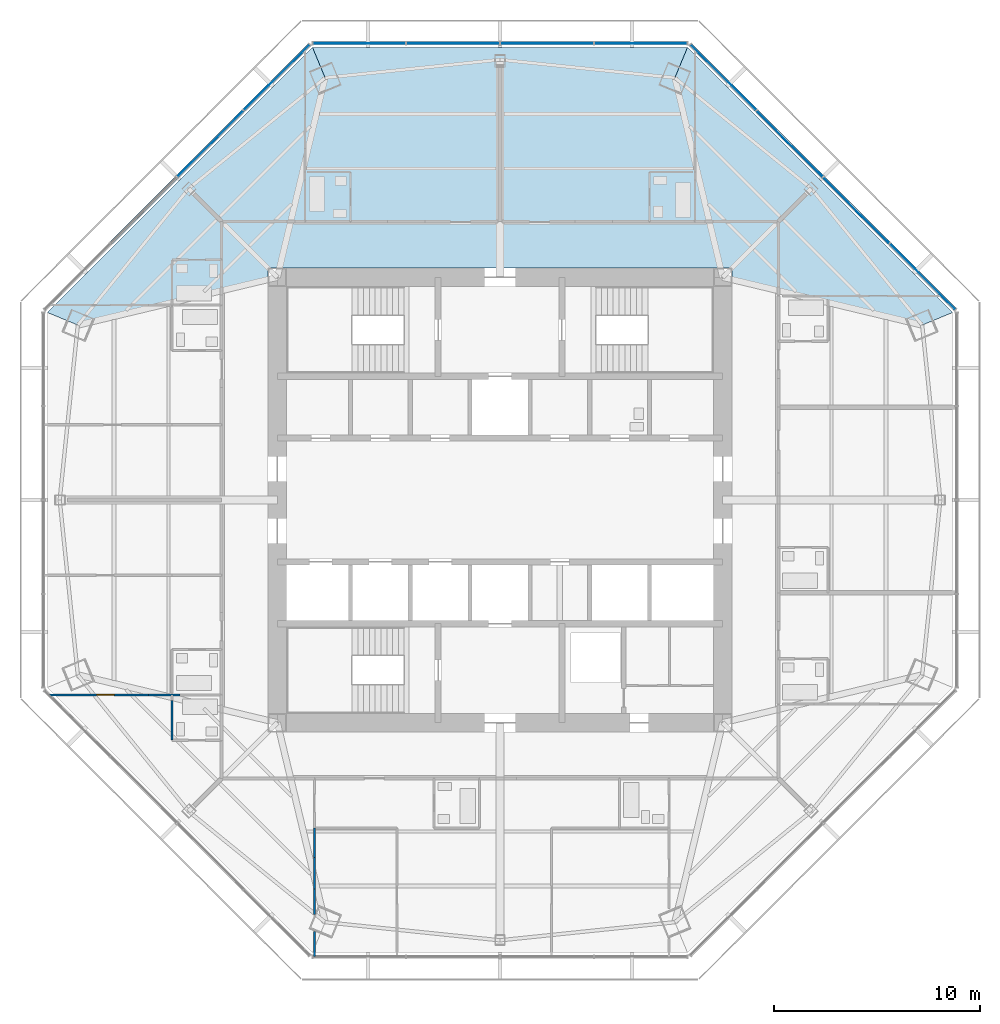
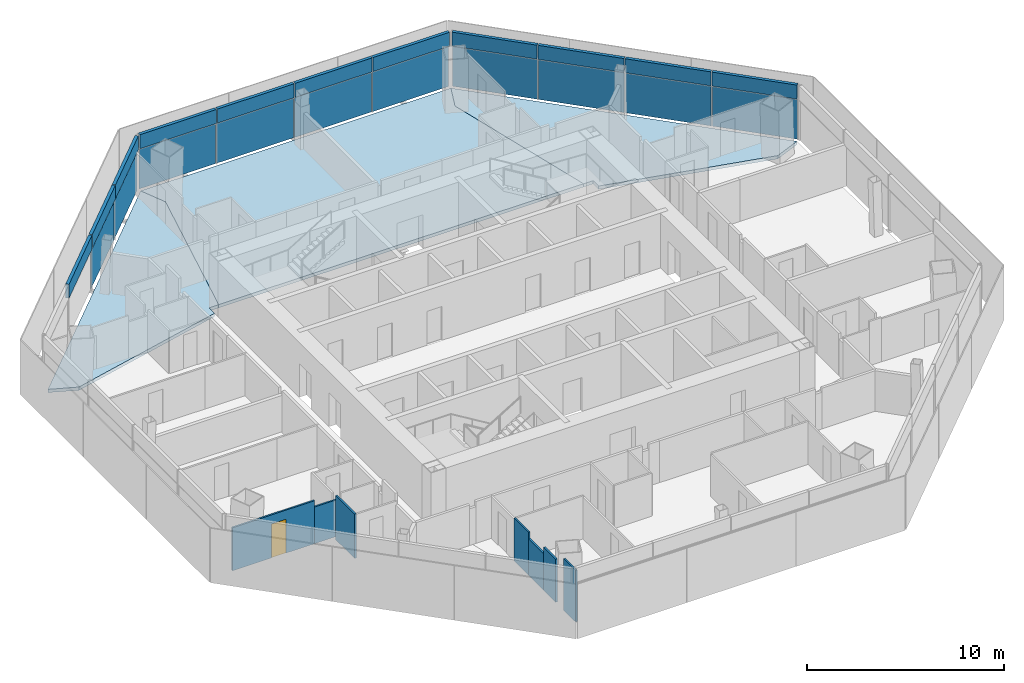
# One storey, part 8 of 15: 21 plates, 7 walls, 3 slabs, 1 door, 1 opening, 3 elements without a shape of their own.
"""IFC4 building model written with IfcOpenShell, lengths in metres."""

from ifc_helpers import new_model, si_unit, direction, frame, frame_2d, origin, origin_2d, place, context, subcontext, project, spatial, polyline, rectangle, outline, extrude, source, transform, mapped, material, layer, layer_set, type_object, type_shapes, element, fill, aggregate, save


model = new_model("IFC4")

# Units and contexts
model_context = context("Model", 3, precision=1e-05, world=origin(), true_north=direction((0.0, 1.0)))
body_context = subcontext(model_context, "Body", "Model", "MODEL_VIEW")
ifc_project = project(units=[si_unit("LENGTHUNIT", "METRE"), si_unit("AREAUNIT", "SQUARE_METRE"), si_unit("VOLUMEUNIT", "CUBIC_METRE"), si_unit("PLANEANGLEUNIT", "RADIAN"), si_unit("MASSUNIT", "GRAM", prefix="KILO")], contexts=[model_context])

# Site, building, storey
site_placement = place(None, origin())
site = spatial("IfcSite", under=ifc_project, at=site_placement, CompositionType="ELEMENT")
building_placement = place(site_placement, origin())
building = spatial("IfcBuilding", under=site, at=building_placement, Name="Mashrafa Tower", CompositionType="ELEMENT")
storey_placement = place(building_placement, frame((0.0, 0.0, 207.39990234375)))
storey = spatial("IfcBuildingStorey", under=building, at=storey_placement, Name="L47", CompositionType="ELEMENT", Elevation=207.39990234375)

# Slabs
ifc_material_1 = material(Name="Concrete C35/45", Category="concrete")
ifc_layer_1 = layer(ifc_material_1, 0.199951171875)
ifc_layer_set_1 = layer_set([ifc_layer_1], Name="Floor slab 200")
slab_type = type_object("IfcSlabType", Name="Floor slab 200", PredefinedType="FLOOR", material=ifc_layer_set_1)
slab_1_placement = place(storey_placement, frame((0.0, 0.0, -0.199951171875)))
element("IfcSlab", 1, at=slab_1_placement, inside=storey, type_object=slab_type, Name="Floor slab L47 north-east bay", PredefinedType="FLOOR", context=body_context, shape_type="SweptSolid", body=[
    extrude(outline(polyline([(21.94775390625, 9.091064453125), (20.47509765625, 8.481201171875), (11.25, 10.692138671875), (11.25, 11.25), (10.692138671875, 11.25), (8.481201171875, 20.47509765625), (9.091064453125, 21.94775390625), (21.94775390625, 9.091064453125)])), origin(), (0.0, 0.0, 1.0), 0.199951171875),
])
slab_2_placement = place(storey_placement, frame((0.0, 0.0, -0.199951171875)))
element("IfcSlab", 2, at=slab_2_placement, inside=storey, type_object=slab_type, Name="Floor slab L47 north bay", PredefinedType="FLOOR", context=body_context, shape_type="SweptSolid", body=[
    extrude(outline(polyline([(-9.091064453125, 21.94775390625), (9.091064453125, 21.94775390625), (9.091064453125, 21.94775390625), (8.481201171875, 20.47509765625), (10.692138671875, 11.25), (-10.692138671875, 11.25), (-8.481201171875, 20.47509765625), (-9.091064453125, 21.94775390625), (-9.091064453125, 21.94775390625)])), origin(), (0.0, 0.0, 1.0), 0.199951171875),
])
slab_3_placement = place(storey_placement, frame((0.0, 0.0, -0.199951171875)))
element("IfcSlab", 3, at=slab_3_placement, inside=storey, type_object=slab_type, Name="Floor slab L47 north-west bay", PredefinedType="FLOOR", context=body_context, shape_type="SweptSolid", body=[
    extrude(outline(polyline([(-9.091064453125, 21.94775390625), (-8.481201171875, 20.47509765625), (-10.692138671875, 11.25), (-11.25, 11.25), (-11.25, 10.692138671875), (-20.47509765625, 8.481201171875), (-21.94775390625, 9.091064453125), (-9.091064453125, 21.94775390625)])), origin(), (0.0, 0.0, 1.0), 0.199951171875),
])

# Curtain wall, plates
ifc_material_2 = material(Name="Unitised aluminium curtain wall", Category="aluminium")
curtain_wall_type = type_object("IfcCurtainWallType", Name="Apartment curtain wall, zone 3 CW-C 180 deep", PredefinedType="NOTDEFINED", material=ifc_material_2)
curtain_wall_1_placement = place(storey_placement, origin())
curtain_wall_1 = element("IfcCurtainWall", 4, at=curtain_wall_1_placement, inside=storey, type_object=curtain_wall_type, Name="Apartment curtain wall, zone 3 L47 north-east", PredefinedType="NOTDEFINED")
ifc_material_3 = material(Name="Insulated double glazing, acoustic", Category="glass")
ifc_layer_2 = layer(ifc_material_3, 0.028076171875)
ifc_layer_set_2 = layer_set([ifc_layer_2], Name="Vision panel CW-C 28")
plate_type_1 = type_object("IfcPlateType", Name="Vision panel CW-C 28", PredefinedType="CURTAIN_PANEL", material=ifc_layer_set_2)
shared_shape_1 = source(origin(), body_context, "Body", "SweptSolid", [
    extrude(rectangle(XDim=4.473388671875, YDim=0.028076171875, at=origin_2d()), origin(), (0.0, 0.0, 1.0), 2.46240234375),
])
plate_1_placement = place(storey_placement, frame((20.490234375, 10.831298828125, 0.000244140625), z_axis=(0.0, 0.0, 1.0), x_axis=(-0.707106781187, 0.707106781187, 0.0)))
plate_1 = element("IfcPlate", 5, at=plate_1_placement, type_object=plate_type_1, Name="CW-C vision panel 1", PredefinedType="CURTAIN_PANEL", context=body_context, shape_type="MappedRepresentation", body=[
    mapped(shared_shape_1, transform((0.0, 0.0, 0.0))),
])
plate_2_placement = place(storey_placement, frame((10.831298828125, 20.490234375, 0.000244140625), z_axis=(0.0, 0.0, 1.0), x_axis=(-0.707106781187, 0.707106781187, 0.0)))
plate_2 = element("IfcPlate", 6, at=plate_2_placement, type_object=plate_type_1, Name="CW-C vision panel 4", PredefinedType="CURTAIN_PANEL", context=body_context, shape_type="MappedRepresentation", body=[
    mapped(shared_shape_1, transform((0.0, 0.0, 0.0))),
])

curtain_wall_2_placement = place(storey_placement, origin())
curtain_wall_2 = element("IfcCurtainWall", 7, at=curtain_wall_2_placement, inside=storey, type_object=curtain_wall_type, Name="Apartment curtain wall, zone 3 L47 north", PredefinedType="NOTDEFINED")
plate_3_placement = place(storey_placement, frame((6.829833984375, 22.147705078125, 0.000244140625), z_axis=(0.0, 0.0, 1.0), x_axis=(-1.0, 0.0, 0.0)))
plate_3 = element("IfcPlate", 8, at=plate_3_placement, type_object=plate_type_1, Name="CW-C vision panel 1", PredefinedType="CURTAIN_PANEL", context=body_context, shape_type="MappedRepresentation", body=[
    mapped(shared_shape_1, transform((0.0, 0.0, 0.0))),
])
plate_4_placement = place(storey_placement, frame((-6.829833984375, 22.147705078125, 0.000244140625), z_axis=(0.0, 0.0, 1.0), x_axis=(-1.0, 0.0, 0.0)))
plate_4 = element("IfcPlate", 9, at=plate_4_placement, type_object=plate_type_1, Name="CW-C vision panel 4", PredefinedType="CURTAIN_PANEL", context=body_context, shape_type="MappedRepresentation", body=[
    mapped(shared_shape_1, transform((0.0, 0.0, 0.0))),
])

# Curtain wall, plate
curtain_wall_3_placement = place(storey_placement, origin())
curtain_wall_3 = element("IfcCurtainWall", 10, at=curtain_wall_3_placement, inside=storey, type_object=curtain_wall_type, Name="Apartment curtain wall, zone 3 L47 north-west", PredefinedType="NOTDEFINED")
plate_5_placement = place(storey_placement, frame((-10.831298828125, 20.490234375, 0.000244140625), z_axis=(0.0, 0.0, 1.0), x_axis=(-0.707106781187, -0.707106781187, 0.0)))
plate_5 = element("IfcPlate", 11, at=plate_5_placement, type_object=plate_type_1, Name="CW-C vision panel 1", PredefinedType="CURTAIN_PANEL", context=body_context, shape_type="MappedRepresentation", body=[
    mapped(shared_shape_1, transform((0.0, 0.0, 0.0))),
])

# Plate
ifc_material_4 = material(Name="Insulated bronze aluminium spandrel panel", Category="aluminium")
ifc_layer_3 = layer(ifc_material_4, 0.179931640625)
ifc_layer_set_3 = layer_set([ifc_layer_3], Name="Spandrel panel CW-C 180")
plate_type_2 = type_object("IfcPlateType", Name="Spandrel panel CW-C 180", PredefinedType="CURTAIN_PANEL", material=ifc_layer_set_3)
shared_shape_2 = source(origin(), body_context, "Body", "SweptSolid", [
    extrude(rectangle(XDim=4.473388671875, YDim=0.179931640625, at=origin_2d()), origin(), (0.0, 0.0, 1.0), 0.862548828125),
])
plate_6_placement = place(storey_placement, frame((20.490234375, 10.831298828125, 2.53759765625), z_axis=(0.0, 0.0, 1.0), x_axis=(-0.707106781187, 0.707106781187, 0.0)))
plate_6 = element("IfcPlate", 12, at=plate_6_placement, type_object=plate_type_2, Name="CW-C spandrel panel 1", PredefinedType="CURTAIN_PANEL", context=body_context, shape_type="MappedRepresentation", body=[
    mapped(shared_shape_2, transform((0.0, 0.0, 0.0))),
])

plate_7_placement = place(storey_placement, frame((10.831298828125, 20.490234375, 2.53759765625), z_axis=(0.0, 0.0, 1.0), x_axis=(-0.707106781187, 0.707106781187, 0.0)))
plate_7 = element("IfcPlate", 13, at=plate_7_placement, type_object=plate_type_2, Name="CW-C spandrel panel 4", PredefinedType="CURTAIN_PANEL", context=body_context, shape_type="MappedRepresentation", body=[
    mapped(shared_shape_2, transform((0.0, 0.0, 0.0))),
])

plate_8_placement = place(storey_placement, frame((6.829833984375, 22.147705078125, 2.53759765625), z_axis=(0.0, 0.0, 1.0), x_axis=(-1.0, 0.0, 0.0)))
plate_8 = element("IfcPlate", 14, at=plate_8_placement, type_object=plate_type_2, Name="CW-C spandrel panel 1", PredefinedType="CURTAIN_PANEL", context=body_context, shape_type="MappedRepresentation", body=[
    mapped(shared_shape_2, transform((0.0, 0.0, 0.0))),
])

plate_9_placement = place(storey_placement, frame((-6.829833984375, 22.147705078125, 2.53759765625), z_axis=(0.0, 0.0, 1.0), x_axis=(-1.0, 0.0, 0.0)))
plate_9 = element("IfcPlate", 15, at=plate_9_placement, type_object=plate_type_2, Name="CW-C spandrel panel 4", PredefinedType="CURTAIN_PANEL", context=body_context, shape_type="MappedRepresentation", body=[
    mapped(shared_shape_2, transform((0.0, 0.0, 0.0))),
])

plate_10_placement = place(storey_placement, frame((-10.831298828125, 20.490234375, 2.53759765625), z_axis=(0.0, 0.0, 1.0), x_axis=(-0.707106781187, -0.707106781187, 0.0)))
plate_10 = element("IfcPlate", 16, at=plate_10_placement, type_object=plate_type_2, Name="CW-C spandrel panel 1", PredefinedType="CURTAIN_PANEL", context=body_context, shape_type="MappedRepresentation", body=[
    mapped(shared_shape_2, transform((0.0, 0.0, 0.0))),
])

shared_shape_3 = source(origin(), body_context, "Body", "SweptSolid", [
    extrude(rectangle(XDim=4.503173828125, YDim=0.028076171875, at=origin_2d()), origin(), (0.0, 0.0, 1.0), 2.46240234375),
])
type_shapes(plate_type_1, [shared_shape_1, shared_shape_3])
plate_11_placement = place(storey_placement, frame((17.274169921875, 14.04736328125, 0.000244140625), z_axis=(0.0, 0.0, 1.0), x_axis=(-0.707106781187, 0.707106781187, 0.0)))
plate_11 = element("IfcPlate", 17, at=plate_11_placement, type_object=plate_type_1, Name="CW-C vision panel 2", PredefinedType="CURTAIN_PANEL", context=body_context, shape_type="MappedRepresentation", body=[
    mapped(shared_shape_3, transform((0.0, 0.0, 0.0))),
])

plate_12_placement = place(storey_placement, frame((14.04736328125, 17.274169921875, 0.000244140625), z_axis=(0.0, 0.0, 1.0), x_axis=(-0.707106781187, 0.707106781187, 0.0)))
plate_12 = element("IfcPlate", 18, at=plate_12_placement, type_object=plate_type_1, Name="CW-C vision panel 3", PredefinedType="CURTAIN_PANEL", context=body_context, shape_type="MappedRepresentation", body=[
    mapped(shared_shape_3, transform((0.0, 0.0, 0.0))),
])

plate_13_placement = place(storey_placement, frame((2.28173828125, 22.147705078125, 0.000244140625), z_axis=(0.0, 0.0, 1.0), x_axis=(-1.0, 0.0, 0.0)))
plate_13 = element("IfcPlate", 19, at=plate_13_placement, type_object=plate_type_1, Name="CW-C vision panel 2", PredefinedType="CURTAIN_PANEL", context=body_context, shape_type="MappedRepresentation", body=[
    mapped(shared_shape_3, transform((0.0, 0.0, 0.0))),
])

plate_14_placement = place(storey_placement, frame((-2.28173828125, 22.147705078125, 0.000244140625), z_axis=(0.0, 0.0, 1.0), x_axis=(-1.0, 0.0, 0.0)))
plate_14 = element("IfcPlate", 20, at=plate_14_placement, type_object=plate_type_1, Name="CW-C vision panel 3", PredefinedType="CURTAIN_PANEL", context=body_context, shape_type="MappedRepresentation", body=[
    mapped(shared_shape_3, transform((0.0, 0.0, 0.0))),
])

plate_15_placement = place(storey_placement, frame((-14.04736328125, 17.274169921875, 0.000244140625), z_axis=(0.0, 0.0, 1.0), x_axis=(-0.707106781187, -0.707106781187, 0.0)))
plate_15 = element("IfcPlate", 21, at=plate_15_placement, type_object=plate_type_1, Name="CW-C vision panel 2", PredefinedType="CURTAIN_PANEL", context=body_context, shape_type="MappedRepresentation", body=[
    mapped(shared_shape_3, transform((0.0, 0.0, 0.0))),
])

shared_shape_4 = source(origin(), body_context, "Body", "SweptSolid", [
    extrude(rectangle(XDim=4.503173828125, YDim=0.179931640625, at=origin_2d()), origin(), (0.0, 0.0, 1.0), 0.862548828125),
])
type_shapes(plate_type_2, [shared_shape_2, shared_shape_4])
plate_16_placement = place(storey_placement, frame((17.274169921875, 14.04736328125, 2.53759765625), z_axis=(0.0, 0.0, 1.0), x_axis=(-0.707106781187, 0.707106781187, 0.0)))
plate_16 = element("IfcPlate", 22, at=plate_16_placement, type_object=plate_type_2, Name="CW-C spandrel panel 2", PredefinedType="CURTAIN_PANEL", context=body_context, shape_type="MappedRepresentation", body=[
    mapped(shared_shape_4, transform((0.0, 0.0, 0.0))),
])

plate_17_placement = place(storey_placement, frame((14.04736328125, 17.274169921875, 2.53759765625), z_axis=(0.0, 0.0, 1.0), x_axis=(-0.707106781187, 0.707106781187, 0.0)))
plate_17 = element("IfcPlate", 23, at=plate_17_placement, type_object=plate_type_2, Name="CW-C spandrel panel 3", PredefinedType="CURTAIN_PANEL", context=body_context, shape_type="MappedRepresentation", body=[
    mapped(shared_shape_4, transform((0.0, 0.0, 0.0))),
])

aggregate(curtain_wall_1, [plate_1, plate_6, plate_11, plate_16, plate_12, plate_17, plate_2, plate_7])

plate_18_placement = place(storey_placement, frame((2.28173828125, 22.147705078125, 2.53759765625), z_axis=(0.0, 0.0, 1.0), x_axis=(-1.0, 0.0, 0.0)))
plate_18 = element("IfcPlate", 24, at=plate_18_placement, type_object=plate_type_2, Name="CW-C spandrel panel 2", PredefinedType="CURTAIN_PANEL", context=body_context, shape_type="MappedRepresentation", body=[
    mapped(shared_shape_4, transform((0.0, 0.0, 0.0))),
])

plate_19_placement = place(storey_placement, frame((-2.28173828125, 22.147705078125, 2.53759765625), z_axis=(0.0, 0.0, 1.0), x_axis=(-1.0, 0.0, 0.0)))
plate_19 = element("IfcPlate", 25, at=plate_19_placement, type_object=plate_type_2, Name="CW-C spandrel panel 3", PredefinedType="CURTAIN_PANEL", context=body_context, shape_type="MappedRepresentation", body=[
    mapped(shared_shape_4, transform((0.0, 0.0, 0.0))),
])

aggregate(curtain_wall_2, [plate_3, plate_8, plate_13, plate_18, plate_14, plate_19, plate_4, plate_9])

plate_20_placement = place(storey_placement, frame((-14.04736328125, 17.274169921875, 2.53759765625), z_axis=(0.0, 0.0, 1.0), x_axis=(-0.707106781187, -0.707106781187, 0.0)))
plate_20 = element("IfcPlate", 26, at=plate_20_placement, type_object=plate_type_2, Name="CW-C spandrel panel 2", PredefinedType="CURTAIN_PANEL", context=body_context, shape_type="MappedRepresentation", body=[
    mapped(shared_shape_4, transform((0.0, 0.0, 0.0))),
])

plate_21_placement = place(storey_placement, frame((-17.274169921875, 14.04736328125, 2.53759765625), z_axis=(0.0, 0.0, 1.0), x_axis=(-0.707106781187, -0.707106781187, 0.0)))
plate_21 = element("IfcPlate", 27, at=plate_21_placement, type_object=plate_type_2, Name="CW-C spandrel panel 3", PredefinedType="CURTAIN_PANEL", context=body_context, shape_type="MappedRepresentation", body=[
    mapped(shared_shape_4, transform((0.0, 0.0, 0.0))),
])

aggregate(curtain_wall_3, [plate_5, plate_10, plate_15, plate_20, plate_21])

# Walls
ifc_material_5 = material(Name="Gypsum board on steel studs", Category="steel")
ifc_layer_4 = layer(ifc_material_5, 0.10009765625)
ifc_layer_set_4 = layer_set([ifc_layer_4], Name="Partition 100")
wall_type = type_object("IfcWallType", Name="Partition 100", PredefinedType="PARTITIONING", material=ifc_layer_set_4)
wall_1_placement = place(storey_placement, frame((-15.89990234375, -9.73193359375, 0.0), z_axis=(0.0, 0.0, 1.0), x_axis=(0.0, -1.0, 0.0)))
element("IfcWall", 28, at=wall_1_placement, inside=storey, type_object=wall_type, Name="Partition wall L47-106", PredefinedType="PARTITIONING", context=body_context, shape_type="SweptSolid", body=[
    extrude(rectangle(XDim=1.91796875, YDim=0.10009765625, at=frame_2d((0.958984375, 0.0))), origin(), (0.0, 0.0, 1.0), 2.740478515625),
])
wall_2_placement = place(storey_placement, frame((-15.519287109375, -9.449951171875, 0.0), z_axis=(0.0, 0.0, 1.0), x_axis=(-1.0, 0.0, 0.0)))
element("IfcWall", 29, at=wall_2_placement, inside=storey, type_object=wall_type, Name="Partition wall L47-110", PredefinedType="PARTITIONING", context=body_context, shape_type="SweptSolid", body=[
    extrude(rectangle(XDim=1.52587890625, YDim=0.10009765625, at=frame_2d((0.762939453125, 0.0))), origin(), (0.0, 0.0, 1.0), 2.268310546875),
])

# Wall, opening, door
wall_3_placement = place(storey_placement, frame((-17.045166015625, -9.449951171875, 0.0), z_axis=(0.0, 0.0, 1.0), x_axis=(-1.0, 0.0, 0.0)))
wall_3 = element("IfcWall", 30, at=wall_3_placement, inside=storey, type_object=wall_type, Name="Partition wall L47-111", PredefinedType="PARTITIONING", context=body_context, shape_type="SweptSolid", body=[
    extrude(rectangle(XDim=4.804443359375, YDim=0.10009765625, at=frame_2d((2.40234375, 0.0))), origin(), (0.0, 0.0, 1.0), 2.664306640625),
])
opening_placement = place(wall_3_placement, frame((1.669921875, 0.0, 0.0)))
opening = element("IfcOpeningElement", 31, at=opening_placement, cuts=wall_3, Name="Opening 47.021", PredefinedType="OPENING", context=body_context, shape_type="SweptSolid", body=[
    extrude(rectangle(XDim=0.85009765625, YDim=2.10009765625, at=frame_2d((0.425048828125, 1.050048828125))), frame((0.0, 0.06005859375, 0.0), z_axis=(0.0, -1.0, 0.0), x_axis=(1.0, 0.0, 0.0)), (0.0, 0.0, 1.0), 0.1201171875),
])
ifc_material_6 = material(Name="Timber door", Category="wood")
door_type = type_object("IfcDoorType", Name="Bedroom door 850 x 2100", OperationType="USERDEFINED", PredefinedType="DOOR", material=ifc_material_6)
door_placement = place(opening_placement, origin())
door = element("IfcDoor", 32, at=door_placement, inside=storey, type_object=door_type, Name="Apartment 4707 Bedroom 1 door", OperationType="SINGLE_SWING_RIGHT", OverallHeight=2.10009765625, OverallWidth=0.85009765625, PredefinedType="DOOR", context=body_context, shape_type="SweptSolid", body=[
    extrude(rectangle(XDim=0.85009765625, YDim=2.10009765625, at=frame_2d((0.425048828125, 1.050048828125))), frame((0.0, 0.02490234375, 0.0), z_axis=(0.0, -1.0, 0.0), x_axis=(1.0, 0.0, 0.0)), (0.0, 0.0, 1.0), 0.050048828125),
])
fill(opening, door)

# Walls
wall_4_placement = place(storey_placement, frame((-9.0, -22.129638671875, 0.0), z_axis=(0.0, 0.0, 1.0), x_axis=(0.0, 1.0, 0.0)))
element("IfcWall", 33, at=wall_4_placement, inside=storey, type_object=wall_type, Name="Partition wall L47-118", PredefinedType="PARTITIONING", context=body_context, shape_type="SweptSolid", body=[
    extrude(rectangle(XDim=1.205810546875, YDim=0.10009765625, at=frame_2d((0.60302734375, 0.0))), origin(), (0.0, 0.0, 1.0), 3.2001953125),
])
wall_5_placement = place(storey_placement, frame((-9.0, -20.1103515625, 0.0), z_axis=(0.0, 0.0, 1.0), x_axis=(0.0, 1.0, 0.0)))
element("IfcWall", 34, at=wall_5_placement, inside=storey, type_object=wall_type, Name="Partition wall L47-119", PredefinedType="PARTITIONING", context=body_context, shape_type="SweptSolid", body=[
    extrude(rectangle(XDim=1.23779296875, YDim=0.10009765625, at=frame_2d((0.618896484375, 0.0))), origin(), (0.0, 0.0, 1.0), 2.664306640625),
])
wall_6_placement = place(storey_placement, frame((-9.0, -17.3466796875, 0.0), z_axis=(0.0, 0.0, 1.0), x_axis=(0.0, 1.0, 0.0)))
element("IfcWall", 35, at=wall_6_placement, inside=storey, type_object=wall_type, Name="Partition wall L47-120", PredefinedType="PARTITIONING", context=body_context, shape_type="SweptSolid", body=[
    extrude(rectangle(XDim=1.44775390625, YDim=0.10009765625, at=frame_2d((0.723876953125, 0.0))), origin(), (0.0, 0.0, 1.0), 2.664306640625),
])
wall_7_placement = place(storey_placement, frame((-9.0, -18.87255859375, 0.0), z_axis=(0.0, 0.0, 1.0), x_axis=(0.0, 1.0, 0.0)))
element("IfcWall", 36, at=wall_7_placement, inside=storey, type_object=wall_type, Name="Partition wall L47-121", PredefinedType="PARTITIONING", context=body_context, shape_type="SweptSolid", body=[
    extrude(rectangle(XDim=1.52587890625, YDim=0.10009765625, at=frame_2d((0.762939453125, 0.0))), origin(), (0.0, 0.0, 1.0), 2.268310546875),
])

save(model, "model.ifc")
